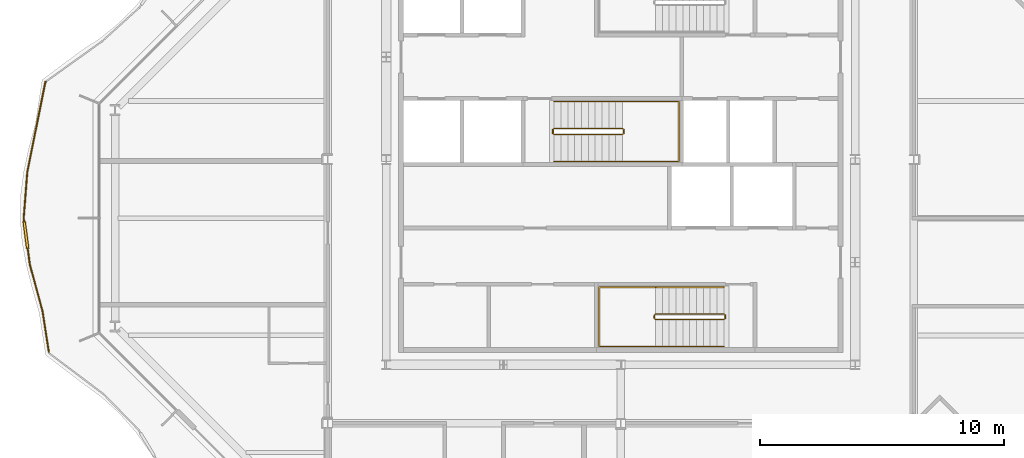
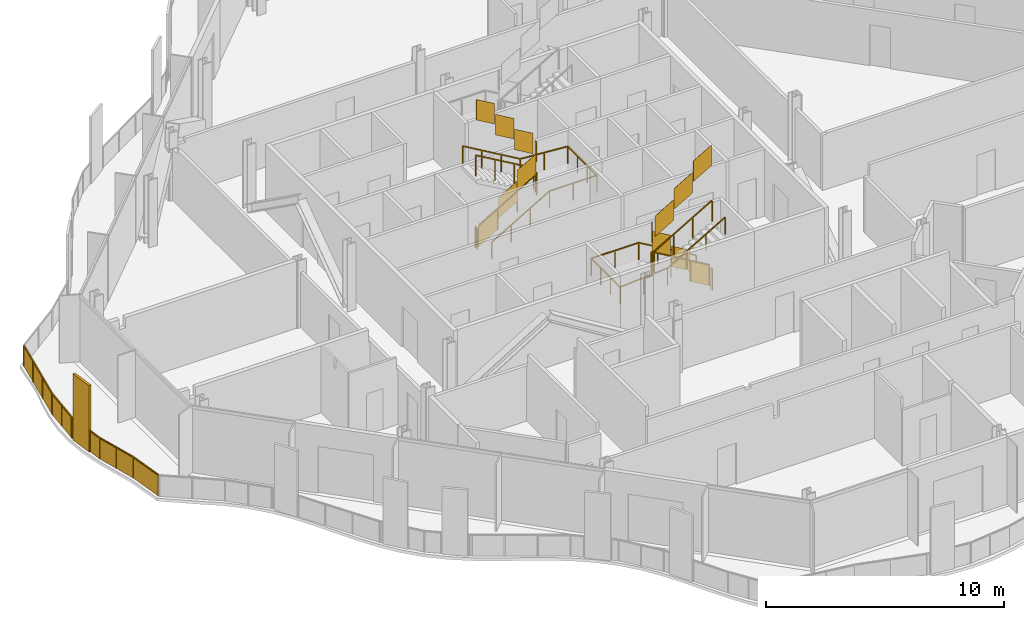
# One storey, part 14 of 17: 7 railings.
"""IFC4 building model written with IfcOpenShell, lengths in metres."""

from ifc_helpers import new_model, si_unit, direction, frame, origin, origin_2d, place, context, subcontext, project, spatial, polyline, rectangle, outline, extrude, material, type_object, element, save


model = new_model("IFC4")

# Units and contexts
model_context = context("Model", 3, precision=1e-05, world=origin(), true_north=direction((0.0, 1.0)))
body_context = subcontext(model_context, "Body", "Model", "MODEL_VIEW")
ifc_project = project(units=[si_unit("LENGTHUNIT", "METRE"), si_unit("AREAUNIT", "SQUARE_METRE"), si_unit("VOLUMEUNIT", "CUBIC_METRE"), si_unit("PLANEANGLEUNIT", "RADIAN"), si_unit("MASSUNIT", "GRAM", prefix="KILO")], contexts=[model_context])

# Site, building, storey
site_placement = place(None, origin())
site = spatial("IfcSite", under=ifc_project, at=site_placement, CompositionType="ELEMENT")
building_placement = place(site_placement, origin())
building = spatial("IfcBuilding", under=site, at=building_placement, Name="Cairn Pilgrim Tower", CompositionType="ELEMENT")
storey_placement = place(building_placement, frame((0.0, 0.0, 217.800048828125)))
storey = spatial("IfcBuildingStorey", under=building, at=storey_placement, Name="L55", CompositionType="ELEMENT", Elevation=217.800048828125)

# Railings
ifc_material_1 = material(Name="Bronze anodised aluminium rail, posts and fin screens with laminated glass infill", Category="aluminium")
railing_type_1 = type_object("IfcRailingType", Name="BALCONY GUARD WITH FIN SCREENS", PredefinedType="GUARDRAIL", material=ifc_material_1)
railing_1_placement = place(storey_placement, frame((-16.3564453125, 5.578857421875, 0.0)))
element("IfcRailing", 1, at=railing_1_placement, inside=storey, type_object=railing_type_1, Name="Balcony guard BGF-7 with fin screens", PredefinedType="GUARDRAIL", context=body_context, shape_type="SweptSolid", body=[
    extrude(rectangle(XDim=0.050048828125, YDim=0.050048828125, at=origin_2d()), frame((0.0, 0.0, 1.0751953125), z_axis=(-0.197341800599, -0.980334745756, 0.0), x_axis=(0.980334745756, -0.197341800599, 0.0)), (0.0, 0.0, 1.0), 3.75341796875),
    extrude(rectangle(XDim=0.050048828125, YDim=0.050048828125, at=origin_2d()), frame((-0.74072265625, -3.6796875, 1.0751953125), z_axis=(-0.077963466055, -0.996956216672, 0.0), x_axis=(0.996956216672, -0.077963466055, 0.0)), (0.0, 0.0, 1.0), 1.90087890625),
    extrude(rectangle(XDim=1.10009765625, YDim=0.110107421875, at=origin_2d()), frame((-0.796875, -6.268798828125, 0.0), z_axis=(0.0, 0.0, 1.0), x_axis=(0.131326883347, -0.991339119429, 0.0)), (0.0, 0.0, 1.0), 3.39990234375),
    extrude(rectangle(XDim=0.050048828125, YDim=0.050048828125, at=origin_2d()), frame((-0.888916015625, -5.57470703125, 1.0751953125), z_axis=(0.131326883347, -0.991339119429, 0.0), x_axis=(0.991339119429, 0.131326883347, 0.0)), (0.0, 0.0, 1.0), 0.150146484375),
    extrude(rectangle(XDim=0.050048828125, YDim=0.050048828125, at=origin_2d()), frame((-0.724853515625, -6.81396484375, 1.0751953125), z_axis=(0.131326883347, -0.991339119429, 0.0), x_axis=(0.991339119429, 0.131326883347, 0.0)), (0.0, 0.0, 1.0), 0.660888671875),
    extrude(rectangle(XDim=0.050048828125, YDim=0.050048828125, at=origin_2d()), frame((-0.637939453125, -7.46923828125, 1.0751953125), z_axis=(0.261849312451, -0.965108769812, 0.0), x_axis=(0.965108769812, 0.261849312451, 0.0)), (0.0, 0.0, 1.0), 1.98779296875),
    extrude(rectangle(XDim=0.050048828125, YDim=0.050048828125, at=origin_2d()), frame((-0.117431640625, -9.3876953125, 1.0751953125), z_axis=(0.153185187628, -0.988197499638, 0.0), x_axis=(0.988197499638, 0.153185187628, 0.0)), (0.0, 0.0, 1.0), 1.675048828125),
    extrude(rectangle(XDim=0.050048828125, YDim=0.050048828125, at=origin_2d()), origin(), (0.0, 0.0, 1.0), 1.050048828125),
    extrude(rectangle(XDim=0.050048828125, YDim=0.050048828125, at=origin_2d()), frame((-0.246826171875, -1.2265625, 0.0)), (0.0, 0.0, 1.0), 1.050048828125),
    extrude(rectangle(XDim=0.050048828125, YDim=0.050048828125, at=origin_2d()), frame((-0.493896484375, -2.453125, 0.0)), (0.0, 0.0, 1.0), 1.050048828125),
    extrude(rectangle(XDim=0.050048828125, YDim=0.050048828125, at=origin_2d()), frame((-0.74072265625, -3.6796875, 0.0)), (0.0, 0.0, 1.0), 1.050048828125),
    extrude(rectangle(XDim=0.050048828125, YDim=0.050048828125, at=origin_2d()), frame((-0.81494140625, -4.627197265625, 0.0)), (0.0, 0.0, 1.0), 1.050048828125),
    extrude(rectangle(XDim=0.050048828125, YDim=0.050048828125, at=origin_2d()), frame((-0.888916015625, -5.57470703125, 0.0)), (0.0, 0.0, 1.0), 1.050048828125),
    extrude(rectangle(XDim=0.050048828125, YDim=0.050048828125, at=origin_2d()), frame((-0.87255859375, -5.69873046875, 0.0)), (0.0, 0.0, 1.0), 1.050048828125),
    extrude(rectangle(XDim=0.050048828125, YDim=0.050048828125, at=origin_2d()), frame((-0.721435546875, -6.8388671875, 0.0)), (0.0, 0.0, 1.0), 1.050048828125),
    extrude(rectangle(XDim=0.050048828125, YDim=0.050048828125, at=origin_2d()), frame((-0.637939453125, -7.46923828125, 0.0)), (0.0, 0.0, 1.0), 1.050048828125),
    extrude(rectangle(XDim=0.050048828125, YDim=0.050048828125, at=origin_2d()), frame((-0.377685546875, -8.428466796875, 0.0)), (0.0, 0.0, 1.0), 1.050048828125),
    extrude(rectangle(XDim=0.050048828125, YDim=0.050048828125, at=origin_2d()), frame((-0.117431640625, -9.3876953125, 0.0)), (0.0, 0.0, 1.0), 1.050048828125),
    extrude(rectangle(XDim=0.050048828125, YDim=0.050048828125, at=origin_2d()), frame((0.13916015625, -11.04296875, 0.0)), (0.0, 0.0, 1.0), 1.050048828125),
    extrude(outline(polyline([(0.02490234375, 0.0), (1.22607421875, 0.0), (1.22607421875, 1.050048828125), (0.02490234375, 1.050048828125), (0.02490234375, 0.0)])), frame((0.005859375, -0.001220703125, 0.0), z_axis=(-0.980334745756, 0.197341800599, 0.0), x_axis=(-0.197341800599, -0.980334745756, 0.0)), (0.0, 0.0, 1.0), 0.011962890625),
    extrude(outline(polyline([(0.02490234375, 0.0), (1.22607421875, 0.0), (1.22607421875, 1.050048828125), (0.02490234375, 1.050048828125), (0.02490234375, 0.0)])), frame((-0.240966796875, -1.227783203125, 0.0), z_axis=(-0.980334745756, 0.197341800599, 0.0), x_axis=(-0.197341800599, -0.980334745756, 0.0)), (0.0, 0.0, 1.0), 0.011962890625),
    extrude(outline(polyline([(0.02490234375, 0.0), (1.22607421875, 0.0), (1.22607421875, 1.050048828125), (0.02490234375, 1.050048828125), (0.02490234375, 0.0)])), frame((-0.488037109375, -2.454345703125, 0.0), z_axis=(-0.980334745756, 0.197341800599, 0.0), x_axis=(-0.197341800599, -0.980334745756, 0.0)), (0.0, 0.0, 1.0), 0.011962890625),
    extrude(outline(polyline([(0.02490234375, 0.0), (0.92529296875, 0.0), (0.92529296875, 1.050048828125), (0.02490234375, 1.050048828125), (0.02490234375, 0.0)])), frame((-0.73486328125, -3.68017578125, 0.0), z_axis=(-0.996956216672, 0.077963466055, 0.0), x_axis=(-0.077963466055, -0.996956216672, 0.0)), (0.0, 0.0, 1.0), 0.011962890625),
    extrude(outline(polyline([(0.02490234375, 0.0), (0.92529296875, 0.0), (0.92529296875, 1.050048828125), (0.02490234375, 1.050048828125), (0.02490234375, 0.0)])), frame((-0.808837890625, -4.627685546875, 0.0), z_axis=(-0.996956216672, 0.077963466055, 0.0), x_axis=(-0.077963466055, -0.996956216672, 0.0)), (0.0, 0.0, 1.0), 0.011962890625),
    extrude(outline(polyline([(0.02490234375, 0.0), (0.10009765625, 0.0), (0.10009765625, 1.050048828125), (0.02490234375, 1.050048828125), (0.02490234375, 0.0)])), frame((-0.883056640625, -5.573974609375, 0.0), z_axis=(-0.991339119429, -0.131326883347, 0.0), x_axis=(0.131326883347, -0.991339119429, 0.0)), (0.0, 0.0, 1.0), 0.011962890625),
    extrude(outline(polyline([(0.02490234375, 0.0), (0.61083984375, 0.0), (0.61083984375, 1.050048828125), (0.02490234375, 1.050048828125), (0.02490234375, 0.0)])), frame((-0.715576171875, -6.838134765625, 0.0), z_axis=(-0.991339119429, -0.131326883347, 0.0), x_axis=(0.131326883347, -0.991339119429, 0.0)), (0.0, 0.0, 1.0), 0.011962890625),
    extrude(outline(polyline([(0.02490234375, 0.0), (0.968994140625, 0.0), (0.968994140625, 1.050048828125), (0.02490234375, 1.050048828125), (0.02490234375, 0.0)])), frame((-0.632080078125, -7.4677734375, 0.0), z_axis=(-0.965108769812, -0.261849312451, 0.0), x_axis=(0.261849312451, -0.965108769812, 0.0)), (0.0, 0.0, 1.0), 0.011962890625),
    extrude(outline(polyline([(0.02490234375, 0.0), (0.968994140625, 0.0), (0.968994140625, 1.050048828125), (0.02490234375, 1.050048828125), (0.02490234375, 0.0)])), frame((-0.371826171875, -8.427001953125, 0.0), z_axis=(-0.965108769812, -0.261849312451, 0.0), x_axis=(0.261849312451, -0.965108769812, 0.0)), (0.0, 0.0, 1.0), 0.011962890625),
    extrude(outline(polyline([(0.02490234375, 0.0), (1.64990234375, 0.0), (1.64990234375, 1.050048828125), (0.02490234375, 1.050048828125), (0.02490234375, 0.0)])), frame((-0.111572265625, -9.38671875, 0.0), z_axis=(-0.988197499638, -0.153185187628, 0.0), x_axis=(0.153185187628, -0.988197499638, 0.0)), (0.0, 0.0, 1.0), 0.011962890625),
])
ifc_material_2 = material(Name="Painted steel", Category="steel")
railing_type_2 = type_object("IfcRailingType", Name="STAIR GUARD 1100", PredefinedType="GUARDRAIL", material=ifc_material_2)
railing_2_placement = place(storey_placement, frame((11.425048828125, -3.925048828125, 0.16357421875)))
element("IfcRailing", 2, at=railing_2_placement, inside=storey, type_object=railing_type_2, Name="L55 ST-A stair guard 1", PredefinedType="GUARDRAIL", context=body_context, shape_type="SweptSolid", body=[
    extrude(rectangle(XDim=0.048095703125, YDim=0.048095703125, at=origin_2d()), frame((0.0, 0.0, 1.076171875), z_axis=(-0.863360870873, 0.0, 0.504586966384), x_axis=(0.0, -1.0, 0.0)), (0.0, 0.0, 1.0), 3.2431640625),
    extrude(rectangle(XDim=0.048095703125, YDim=0.048095703125, at=origin_2d()), frame((-2.800048828125, 0.0, 2.71240234375), z_axis=(-0.707106781187, -0.707106781187, 0.0), x_axis=(0.707106781187, -0.707106781187, 0.0)), (0.0, 0.0, 1.0), 0.07080078125),
    extrude(rectangle(XDim=0.048095703125, YDim=0.048095703125, at=origin_2d()), frame((-2.85009765625, -0.050048828125, 2.71240234375), z_axis=(0.0, -1.0, 0.0), x_axis=(1.0, 0.0, 0.0)), (0.0, 0.0, 1.0), 0.125),
    extrude(rectangle(XDim=0.048095703125, YDim=0.048095703125, at=origin_2d()), frame((-2.85009765625, -0.175048828125, 2.71240234375), z_axis=(0.280916556609, -0.279546231943, 0.91811752648), x_axis=(0.705375805398, 0.708833529934, 0.0)), (0.0, 0.0, 1.0), 0.17822265625),
    extrude(rectangle(XDim=0.048095703125, YDim=0.048095703125, at=origin_2d()), frame((-2.800048828125, -0.224853515625, 2.8759765625), z_axis=(0.863393664356, 0.0, 0.504530851732), x_axis=(0.0, 1.0, 0.0)), (0.0, 0.0, 1.0), 3.2431640625),
    extrude(rectangle(XDim=0.0419921875, YDim=0.0419921875, at=origin_2d()), origin(), (0.0, 0.0, 1.0), 1.052001953125),
    extrude(rectangle(XDim=0.0419921875, YDim=0.0419921875, at=origin_2d()), frame((-0.933349609375, 0.0, 0.54541015625)), (0.0, 0.0, 1.0), 1.052001953125),
    extrude(rectangle(XDim=0.0419921875, YDim=0.0419921875, at=origin_2d()), frame((-1.86669921875, 0.0, 1.091064453125)), (0.0, 0.0, 1.0), 1.052001953125),
    extrude(rectangle(XDim=0.0419921875, YDim=0.0419921875, at=origin_2d()), frame((-2.800048828125, 0.0, 1.636474609375)), (0.0, 0.0, 1.0), 1.052001953125),
    extrude(rectangle(XDim=0.0419921875, YDim=0.0419921875, at=origin_2d()), frame((-2.85009765625, -0.050048828125, 1.636474609375)), (0.0, 0.0, 1.0), 1.052001953125),
    extrude(rectangle(XDim=0.0419921875, YDim=0.0419921875, at=origin_2d()), frame((-2.85009765625, -0.175048828125, 1.636474609375)), (0.0, 0.0, 1.0), 1.052001953125),
    extrude(rectangle(XDim=0.0419921875, YDim=0.0419921875, at=origin_2d()), frame((-2.800048828125, -0.224853515625, 1.800048828125)), (0.0, 0.0, 1.0), 1.052001953125),
    extrude(rectangle(XDim=0.0419921875, YDim=0.0419921875, at=origin_2d()), frame((-1.86669921875, -0.224853515625, 2.345458984375)), (0.0, 0.0, 1.0), 1.052001953125),
    extrude(rectangle(XDim=0.0419921875, YDim=0.0419921875, at=origin_2d()), frame((-0.933349609375, -0.224853515625, 2.890869140625)), (0.0, 0.0, 1.0), 1.052001953125),
    extrude(rectangle(XDim=0.0419921875, YDim=0.0419921875, at=origin_2d()), frame((0.0, -0.224853515625, 3.436279296875)), (0.0, 0.0, 1.0), 1.052001953125),
    extrude(outline(polyline([(0.02099609375, 0.01220703125), (0.912353515625, 0.533203125), (0.912353515625, 1.585205078125), (0.02099609375, 1.064208984375), (0.02099609375, 0.01220703125)])), frame((0.0, -0.005859375, 0.0), z_axis=(0.0, 1.0, 0.0), x_axis=(-1.0, 0.0, 0.0)), (0.0, 0.0, 1.0), 0.011962890625),
    extrude(outline(polyline([(0.02099609375, 0.557861328125), (0.912353515625, 1.07861328125), (0.912353515625, 2.130615234375), (0.02099609375, 1.60986328125), (0.02099609375, 0.557861328125)])), frame((-0.933349609375, -0.005859375, 0.54541015625), z_axis=(0.0, 1.0, 0.0), x_axis=(-1.0, 0.0, 0.0)), (0.0, 0.0, 1.0), 0.011962890625),
    extrude(outline(polyline([(0.02099609375, 1.103271484375), (0.912353515625, 1.624267578125), (0.912353515625, 2.67626953125), (0.02099609375, 2.1552734375), (0.02099609375, 1.103271484375)])), frame((-1.86669921875, -0.005859375, 1.091064453125), z_axis=(0.0, 1.0, 0.0), x_axis=(-1.0, 0.0, 0.0)), (0.0, 0.0, 1.0), 0.011962890625),
    extrude(outline(polyline([(0.02099609375, 1.636474609375), (0.10400390625, 1.636474609375), (0.10400390625, 2.6884765625), (0.02099609375, 2.6884765625), (0.02099609375, 1.636474609375)])), frame((-2.84423828125, -0.050048828125, 1.636474609375), z_axis=(-1.0, 0.0, 0.0), x_axis=(0.0, -1.0, 0.0)), (0.0, 0.0, 1.0), 0.011962890625),
    extrude(outline(polyline([(0.02099609375, 1.812255859375), (0.912353515625, 2.333251953125), (0.912353515625, 3.38525390625), (0.02099609375, 2.8642578125), (0.02099609375, 1.812255859375)])), frame((-2.800048828125, -0.21875, 1.800048828125), z_axis=(0.0, -1.0, 0.0), x_axis=(1.0, 0.0, 0.0)), (0.0, 0.0, 1.0), 0.011962890625),
    extrude(outline(polyline([(0.02099609375, 2.357666015625), (0.912353515625, 2.878662109375), (0.912353515625, 3.9306640625), (0.02099609375, 3.40966796875), (0.02099609375, 2.357666015625)])), frame((-1.86669921875, -0.21875, 2.345458984375), z_axis=(0.0, -1.0, 0.0), x_axis=(1.0, 0.0, 0.0)), (0.0, 0.0, 1.0), 0.011962890625),
    extrude(outline(polyline([(0.02099609375, 2.903076171875), (0.912353515625, 3.424072265625), (0.912353515625, 4.47607421875), (0.02099609375, 3.955078125), (0.02099609375, 2.903076171875)])), frame((-0.933349609375, -0.21875, 2.890869140625), z_axis=(0.0, -1.0, 0.0), x_axis=(1.0, 0.0, 0.0)), (0.0, 0.0, 1.0), 0.011962890625),
])
railing_3_placement = place(storey_placement, frame((11.47509765625, -3.97509765625, 0.0)))
element("IfcRailing", 3, at=railing_3_placement, inside=storey, type_object=railing_type_2, Name="L55 ST-A stair guard 2", PredefinedType="GUARDRAIL", context=body_context, shape_type="SweptSolid", body=[
    extrude(rectangle(XDim=0.048095703125, YDim=0.048095703125, at=origin_2d()), frame((0.0, 0.0, 1.076171875), z_axis=(0.0, -1.0, 0.0), x_axis=(1.0, 0.0, 0.0)), (0.0, 0.0, 1.0), 0.125),
    extrude(rectangle(XDim=0.0419921875, YDim=0.0419921875, at=origin_2d()), origin(), (0.0, 0.0, 1.0), 1.052001953125),
    extrude(rectangle(XDim=0.0419921875, YDim=0.0419921875, at=origin_2d()), frame((0.0, -0.125, 0.0)), (0.0, 0.0, 1.0), 1.052001953125),
    extrude(outline(polyline([(0.02099609375, 0.0), (0.10400390625, 0.0), (0.10400390625, 1.052001953125), (0.02099609375, 1.052001953125), (0.02099609375, 0.0)])), frame((0.005859375, 0.0, 0.0), z_axis=(-1.0, 0.0, 0.0), x_axis=(0.0, -1.0, 0.0)), (0.0, 0.0, 1.0), 0.011962890625),
])
railing_4_placement = place(storey_placement, frame((4.47509765625, 3.425048828125, 0.16357421875)))
element("IfcRailing", 4, at=railing_4_placement, inside=storey, type_object=railing_type_2, Name="L55 ST-B stair guard 1", PredefinedType="GUARDRAIL", context=body_context, shape_type="SweptSolid", body=[
    extrude(rectangle(XDim=0.048095703125, YDim=0.048095703125, at=origin_2d()), frame((0.0, 0.0, 1.076171875), z_axis=(0.863341702679, 0.0, 0.504619762213), x_axis=(0.0, 1.0, 0.0)), (0.0, 0.0, 1.0), 3.242919921875),
    extrude(rectangle(XDim=0.048095703125, YDim=0.048095703125, at=origin_2d()), frame((2.7998046875, 0.0, 2.71240234375), z_axis=(0.707106781187, 0.707106781187, 0.0), x_axis=(-0.707106781187, 0.707106781187, 0.0)), (0.0, 0.0, 1.0), 0.07080078125),
    extrude(rectangle(XDim=0.048095703125, YDim=0.048095703125, at=origin_2d()), frame((2.849853515625, 0.050048828125, 2.71240234375), z_axis=(0.0, 1.0, 0.0), x_axis=(-1.0, 0.0, 0.0)), (0.0, 0.0, 1.0), 0.14990234375),
    extrude(rectangle(XDim=0.048095703125, YDim=0.048095703125, at=origin_2d()), frame((2.849853515625, 0.199951171875, 2.71240234375), z_axis=(-0.280808744504, 0.280808744504, 0.917765164963), x_axis=(-0.707106781187, -0.707106781187, 0.0)), (0.0, 0.0, 1.0), 0.17822265625),
    extrude(rectangle(XDim=0.048095703125, YDim=0.048095703125, at=origin_2d()), frame((2.7998046875, 0.25, 2.8759765625), z_axis=(-0.863374499697, 0.0, 0.504563646405), x_axis=(0.0, -1.0, 0.0)), (0.0, 0.0, 1.0), 3.242919921875),
    extrude(rectangle(XDim=0.0419921875, YDim=0.0419921875, at=origin_2d()), origin(), (0.0, 0.0, 1.0), 1.052001953125),
    extrude(rectangle(XDim=0.0419921875, YDim=0.0419921875, at=origin_2d()), frame((0.933349609375, 0.0, 0.54541015625)), (0.0, 0.0, 1.0), 1.052001953125),
    extrude(rectangle(XDim=0.0419921875, YDim=0.0419921875, at=origin_2d()), frame((1.866455078125, 0.0, 1.091064453125)), (0.0, 0.0, 1.0), 1.052001953125),
    extrude(rectangle(XDim=0.0419921875, YDim=0.0419921875, at=origin_2d()), frame((2.7998046875, 0.0, 1.636474609375)), (0.0, 0.0, 1.0), 1.052001953125),
    extrude(rectangle(XDim=0.0419921875, YDim=0.0419921875, at=origin_2d()), frame((2.849853515625, 0.050048828125, 1.636474609375)), (0.0, 0.0, 1.0), 1.052001953125),
    extrude(rectangle(XDim=0.0419921875, YDim=0.0419921875, at=origin_2d()), frame((2.849853515625, 0.199951171875, 1.636474609375)), (0.0, 0.0, 1.0), 1.052001953125),
    extrude(rectangle(XDim=0.0419921875, YDim=0.0419921875, at=origin_2d()), frame((2.7998046875, 0.25, 1.800048828125)), (0.0, 0.0, 1.0), 1.052001953125),
    extrude(rectangle(XDim=0.0419921875, YDim=0.0419921875, at=origin_2d()), frame((1.866455078125, 0.25, 2.345458984375)), (0.0, 0.0, 1.0), 1.052001953125),
    extrude(rectangle(XDim=0.0419921875, YDim=0.0419921875, at=origin_2d()), frame((0.933349609375, 0.25, 2.890869140625)), (0.0, 0.0, 1.0), 1.052001953125),
    extrude(rectangle(XDim=0.0419921875, YDim=0.0419921875, at=origin_2d()), frame((0.0, 0.25, 3.436279296875)), (0.0, 0.0, 1.0), 1.052001953125),
    extrude(outline(polyline([(0.02099609375, 0.01220703125), (0.912353515625, 0.533203125), (0.912353515625, 1.585205078125), (0.02099609375, 1.064208984375), (0.02099609375, 0.01220703125)])), frame((0.0, 0.005859375, 0.0), z_axis=(0.0, -1.0, 0.0), x_axis=(1.0, 0.0, 0.0)), (0.0, 0.0, 1.0), 0.011962890625),
    extrude(outline(polyline([(0.02099609375, 0.557861328125), (0.912353515625, 1.07861328125), (0.912353515625, 2.130615234375), (0.02099609375, 1.60986328125), (0.02099609375, 0.557861328125)])), frame((0.933349609375, 0.005859375, 0.54541015625), z_axis=(0.0, -1.0, 0.0), x_axis=(1.0, 0.0, 0.0)), (0.0, 0.0, 1.0), 0.011962890625),
    extrude(outline(polyline([(0.02099609375, 1.103271484375), (0.912353515625, 1.624267578125), (0.912353515625, 2.67626953125), (0.02099609375, 2.1552734375), (0.02099609375, 1.103271484375)])), frame((1.866455078125, 0.005859375, 1.091064453125), z_axis=(0.0, -1.0, 0.0), x_axis=(1.0, 0.0, 0.0)), (0.0, 0.0, 1.0), 0.011962890625),
    extrude(outline(polyline([(0.02099609375, 1.636474609375), (0.12890625, 1.636474609375), (0.12890625, 2.6884765625), (0.02099609375, 2.6884765625), (0.02099609375, 1.636474609375)])), frame((2.84375, 0.050048828125, 1.636474609375), z_axis=(1.0, 0.0, 0.0), x_axis=(0.0, 1.0, 0.0)), (0.0, 0.0, 1.0), 0.011962890625),
    extrude(outline(polyline([(0.02099609375, 1.812255859375), (0.912353515625, 2.333251953125), (0.912353515625, 3.38525390625), (0.02099609375, 2.8642578125), (0.02099609375, 1.812255859375)])), frame((2.7998046875, 0.244140625, 1.800048828125), z_axis=(0.0, 1.0, 0.0), x_axis=(-1.0, 0.0, 0.0)), (0.0, 0.0, 1.0), 0.011962890625),
    extrude(outline(polyline([(0.02099609375, 2.357666015625), (0.912353515625, 2.878662109375), (0.912353515625, 3.9306640625), (0.02099609375, 3.40966796875), (0.02099609375, 2.357666015625)])), frame((1.866455078125, 0.244140625, 2.345458984375), z_axis=(0.0, 1.0, 0.0), x_axis=(-1.0, 0.0, 0.0)), (0.0, 0.0, 1.0), 0.011962890625),
    extrude(outline(polyline([(0.02099609375, 2.903076171875), (0.912353515625, 3.424072265625), (0.912353515625, 4.47607421875), (0.02099609375, 3.955078125), (0.02099609375, 2.903076171875)])), frame((0.933349609375, 0.244140625, 2.890869140625), z_axis=(0.0, 1.0, 0.0), x_axis=(-1.0, 0.0, 0.0)), (0.0, 0.0, 1.0), 0.011962890625),
])
railing_5_placement = place(storey_placement, frame((4.425048828125, 3.47509765625, 0.0)))
element("IfcRailing", 5, at=railing_5_placement, inside=storey, type_object=railing_type_2, Name="L55 ST-B stair guard 2", PredefinedType="GUARDRAIL", context=body_context, shape_type="SweptSolid", body=[
    extrude(rectangle(XDim=0.048095703125, YDim=0.048095703125, at=origin_2d()), frame((0.0, 0.0, 1.076171875), z_axis=(0.0, 1.0, 0.0), x_axis=(-1.0, 0.0, 0.0)), (0.0, 0.0, 1.0), 0.14990234375),
    extrude(rectangle(XDim=0.0419921875, YDim=0.0419921875, at=origin_2d()), origin(), (0.0, 0.0, 1.0), 1.052001953125),
    extrude(rectangle(XDim=0.0419921875, YDim=0.0419921875, at=origin_2d()), frame((0.0, 0.14990234375, 0.0)), (0.0, 0.0, 1.0), 1.052001953125),
    extrude(outline(polyline([(0.02099609375, 0.0), (0.12890625, 0.0), (0.12890625, 1.052001953125), (0.02099609375, 1.052001953125), (0.02099609375, 0.0)])), frame((-0.005859375, 0.0, 0.0), z_axis=(1.0, 0.0, 0.0), x_axis=(0.0, 1.0, 0.0)), (0.0, 0.0, 1.0), 0.011962890625),
])
railing_type_3 = type_object("IfcRailingType", Name="STAIR HANDRAIL 900", PredefinedType="HANDRAIL", material=ifc_material_2)
railing_6_placement = place(storey_placement, frame((11.425048828125, -2.824951171875, 0.16357421875)))
element("IfcRailing", 6, at=railing_6_placement, inside=storey, type_object=railing_type_3, Name="L55 ST-A stair handrail 1", PredefinedType="HANDRAIL", context=body_context, shape_type="SweptSolid", body=[
    extrude(rectangle(XDim=0.048095703125, YDim=0.048095703125, at=origin_2d()), frame((0.0, 0.0, 0.8759765625), z_axis=(-0.863360870873, 0.0, 0.504586966384), x_axis=(0.0, -1.0, 0.0)), (0.0, 0.0, 1.0), 3.2431640625),
    extrude(rectangle(XDim=0.048095703125, YDim=0.048095703125, at=origin_2d()), frame((-2.800048828125, 0.0, 2.51220703125), z_axis=(-1.0, 0.0, 0.0), x_axis=(0.0, -1.0, 0.0)), (0.0, 0.0, 1.0), 2.300048828125),
    extrude(rectangle(XDim=0.048095703125, YDim=0.048095703125, at=origin_2d()), frame((-5.10009765625, 0.0, 2.51220703125), z_axis=(0.0, -1.0, 0.0), x_axis=(1.0, 0.0, 0.0)), (0.0, 0.0, 1.0), 2.425048828125),
    extrude(rectangle(XDim=0.048095703125, YDim=0.048095703125, at=origin_2d()), frame((-5.10009765625, -2.425048828125, 2.51220703125), z_axis=(0.997480687736, 0.0, 0.070938548008), x_axis=(0.0, 1.0, 0.0)), (0.0, 0.0, 1.0), 2.305908203125),
    extrude(rectangle(XDim=0.048095703125, YDim=0.048095703125, at=origin_2d()), frame((-2.800048828125, -2.425048828125, 2.67578125), z_axis=(0.863393664356, 0.0, 0.504530851732), x_axis=(0.0, 1.0, 0.0)), (0.0, 0.0, 1.0), 3.2431640625),
    extrude(rectangle(XDim=0.0419921875, YDim=0.0419921875, at=origin_2d()), origin(), (0.0, 0.0, 1.0), 0.851806640625),
    extrude(rectangle(XDim=0.0419921875, YDim=0.0419921875, at=origin_2d()), frame((-0.933349609375, 0.0, 0.54541015625)), (0.0, 0.0, 1.0), 0.851806640625),
    extrude(rectangle(XDim=0.0419921875, YDim=0.0419921875, at=origin_2d()), frame((-1.86669921875, 0.0, 1.091064453125)), (0.0, 0.0, 1.0), 0.851806640625),
    extrude(rectangle(XDim=0.0419921875, YDim=0.0419921875, at=origin_2d()), frame((-2.800048828125, 0.0, 1.636474609375)), (0.0, 0.0, 1.0), 0.851806640625),
    extrude(rectangle(XDim=0.0419921875, YDim=0.0419921875, at=origin_2d()), frame((-3.9501953125, 0.0, 1.636474609375)), (0.0, 0.0, 1.0), 0.851806640625),
    extrude(rectangle(XDim=0.0419921875, YDim=0.0419921875, at=origin_2d()), frame((-5.10009765625, 0.0, 1.636474609375)), (0.0, 0.0, 1.0), 0.851806640625),
    extrude(rectangle(XDim=0.0419921875, YDim=0.0419921875, at=origin_2d()), frame((-5.10009765625, -0.808349609375, 1.636474609375)), (0.0, 0.0, 1.0), 0.851806640625),
    extrude(rectangle(XDim=0.0419921875, YDim=0.0419921875, at=origin_2d()), frame((-5.10009765625, -1.61669921875, 1.636474609375)), (0.0, 0.0, 1.0), 0.851806640625),
    extrude(rectangle(XDim=0.0419921875, YDim=0.0419921875, at=origin_2d()), frame((-5.10009765625, -2.425048828125, 1.636474609375)), (0.0, 0.0, 1.0), 0.851806640625),
    extrude(rectangle(XDim=0.0419921875, YDim=0.0419921875, at=origin_2d()), frame((-3.9501953125, -2.425048828125, 1.71826171875)), (0.0, 0.0, 1.0), 0.851806640625),
    extrude(rectangle(XDim=0.0419921875, YDim=0.0419921875, at=origin_2d()), frame((-2.800048828125, -2.425048828125, 1.800048828125)), (0.0, 0.0, 1.0), 0.851806640625),
    extrude(rectangle(XDim=0.0419921875, YDim=0.0419921875, at=origin_2d()), frame((-1.86669921875, -2.425048828125, 2.345458984375)), (0.0, 0.0, 1.0), 0.851806640625),
    extrude(rectangle(XDim=0.0419921875, YDim=0.0419921875, at=origin_2d()), frame((-0.933349609375, -2.425048828125, 2.890869140625)), (0.0, 0.0, 1.0), 0.851806640625),
    extrude(rectangle(XDim=0.0419921875, YDim=0.0419921875, at=origin_2d()), frame((0.0, -2.425048828125, 3.436279296875)), (0.0, 0.0, 1.0), 0.851806640625),
])
railing_7_placement = place(storey_placement, frame((4.47509765625, 2.324951171875, 0.16357421875)))
element("IfcRailing", 7, at=railing_7_placement, inside=storey, type_object=railing_type_3, Name="L55 ST-B stair handrail 1", PredefinedType="HANDRAIL", context=body_context, shape_type="SweptSolid", body=[
    extrude(rectangle(XDim=0.048095703125, YDim=0.048095703125, at=origin_2d()), frame((0.0, 0.0, 0.8759765625), z_axis=(0.863341702679, 0.0, 0.504619762213), x_axis=(0.0, 1.0, 0.0)), (0.0, 0.0, 1.0), 3.242919921875),
    extrude(rectangle(XDim=0.048095703125, YDim=0.048095703125, at=origin_2d()), frame((2.7998046875, 0.0, 2.51220703125), z_axis=(1.0, 0.0, 0.0), x_axis=(0.0, 1.0, 0.0)), (0.0, 0.0, 1.0), 2.300048828125),
    extrude(rectangle(XDim=0.048095703125, YDim=0.048095703125, at=origin_2d()), frame((5.099853515625, 0.0, 2.51220703125), z_axis=(0.0, 1.0, 0.0), x_axis=(-1.0, 0.0, 0.0)), (0.0, 0.0, 1.0), 2.449951171875),
    extrude(rectangle(XDim=0.048095703125, YDim=0.048095703125, at=origin_2d()), frame((5.099853515625, 2.449951171875, 2.51220703125), z_axis=(-0.997480687736, 0.0, 0.070938548008), x_axis=(0.0, -1.0, 0.0)), (0.0, 0.0, 1.0), 2.305908203125),
    extrude(rectangle(XDim=0.048095703125, YDim=0.048095703125, at=origin_2d()), frame((2.7998046875, 2.449951171875, 2.67578125), z_axis=(-0.863374499697, 0.0, 0.504563646405), x_axis=(0.0, -1.0, 0.0)), (0.0, 0.0, 1.0), 3.242919921875),
    extrude(rectangle(XDim=0.0419921875, YDim=0.0419921875, at=origin_2d()), origin(), (0.0, 0.0, 1.0), 0.851806640625),
    extrude(rectangle(XDim=0.0419921875, YDim=0.0419921875, at=origin_2d()), frame((0.933349609375, 0.0, 0.54541015625)), (0.0, 0.0, 1.0), 0.851806640625),
    extrude(rectangle(XDim=0.0419921875, YDim=0.0419921875, at=origin_2d()), frame((1.866455078125, 0.0, 1.091064453125)), (0.0, 0.0, 1.0), 0.851806640625),
    extrude(rectangle(XDim=0.0419921875, YDim=0.0419921875, at=origin_2d()), frame((2.7998046875, 0.0, 1.636474609375)), (0.0, 0.0, 1.0), 0.851806640625),
    extrude(rectangle(XDim=0.0419921875, YDim=0.0419921875, at=origin_2d()), frame((3.94970703125, 0.0, 1.636474609375)), (0.0, 0.0, 1.0), 0.851806640625),
    extrude(rectangle(XDim=0.0419921875, YDim=0.0419921875, at=origin_2d()), frame((5.099853515625, 0.0, 1.636474609375)), (0.0, 0.0, 1.0), 0.851806640625),
    extrude(rectangle(XDim=0.0419921875, YDim=0.0419921875, at=origin_2d()), frame((5.099853515625, 0.816650390625, 1.636474609375)), (0.0, 0.0, 1.0), 0.851806640625),
    extrude(rectangle(XDim=0.0419921875, YDim=0.0419921875, at=origin_2d()), frame((5.099853515625, 1.63330078125, 1.636474609375)), (0.0, 0.0, 1.0), 0.851806640625),
    extrude(rectangle(XDim=0.0419921875, YDim=0.0419921875, at=origin_2d()), frame((5.099853515625, 2.449951171875, 1.636474609375)), (0.0, 0.0, 1.0), 0.851806640625),
    extrude(rectangle(XDim=0.0419921875, YDim=0.0419921875, at=origin_2d()), frame((3.94970703125, 2.449951171875, 1.71826171875)), (0.0, 0.0, 1.0), 0.851806640625),
    extrude(rectangle(XDim=0.0419921875, YDim=0.0419921875, at=origin_2d()), frame((2.7998046875, 2.449951171875, 1.800048828125)), (0.0, 0.0, 1.0), 0.851806640625),
    extrude(rectangle(XDim=0.0419921875, YDim=0.0419921875, at=origin_2d()), frame((1.866455078125, 2.449951171875, 2.345458984375)), (0.0, 0.0, 1.0), 0.851806640625),
    extrude(rectangle(XDim=0.0419921875, YDim=0.0419921875, at=origin_2d()), frame((0.933349609375, 2.449951171875, 2.890869140625)), (0.0, 0.0, 1.0), 0.851806640625),
    extrude(rectangle(XDim=0.0419921875, YDim=0.0419921875, at=origin_2d()), frame((0.0, 2.449951171875, 3.436279296875)), (0.0, 0.0, 1.0), 0.851806640625),
])

save(model, "model.ifc")
